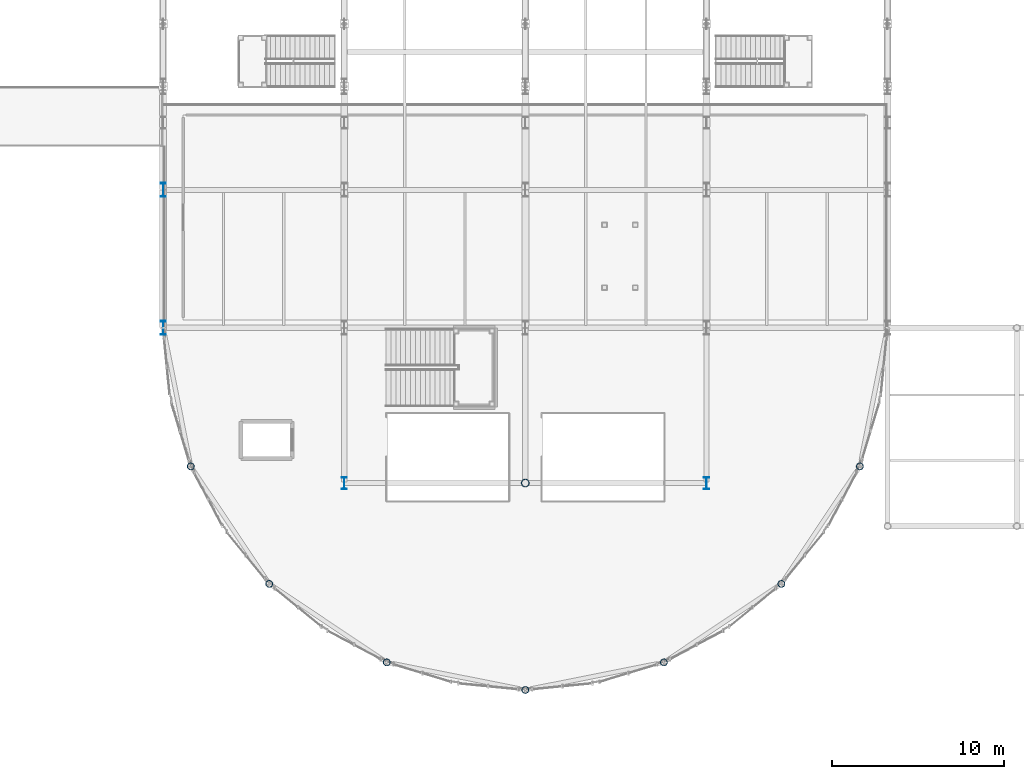
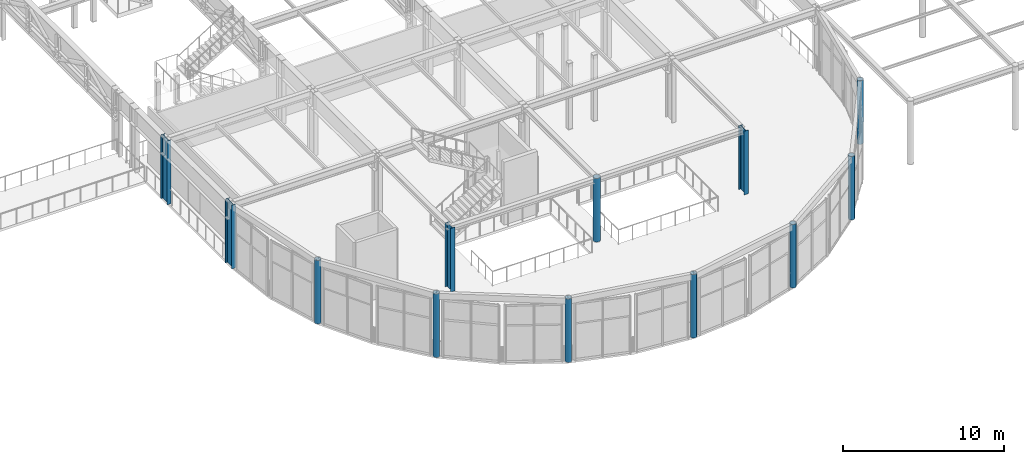
# One storey, part 3 of 143: 12 columns.
"""IFC4 building model written with IfcOpenShell, lengths in metres."""

from ifc_helpers import new_model, si_unit, direction, frame, origin, origin_2d, place, context, subcontext, project, spatial, hollow_circle, i_section, extrude, material, material_profile, profile_set, type_object, element, save


model = new_model("IFC4")

# Units and contexts
model_context = context("Model", 3, precision=1e-05, world=origin(), true_north=direction((0.0, 1.0)))
body_context = subcontext(model_context, "Body", "Model", "MODEL_VIEW")
ifc_project = project(units=[si_unit("LENGTHUNIT", "METRE"), si_unit("AREAUNIT", "SQUARE_METRE"), si_unit("VOLUMEUNIT", "CUBIC_METRE"), si_unit("PLANEANGLEUNIT", "RADIAN"), si_unit("MASSUNIT", "GRAM", prefix="KILO")], contexts=[model_context])

# Site, building, storey
site_placement = place(None, origin())
site = spatial("IfcSite", under=ifc_project, at=site_placement, CompositionType="ELEMENT")
building_placement = place(site_placement, origin())
building = spatial("IfcBuilding", under=site, at=building_placement, Name="Marlcrest Central Station", CompositionType="ELEMENT")
storey_placement = place(building_placement, frame((0.0, 0.0, 4.800048828125)))
storey = spatial("IfcBuildingStorey", under=building, at=storey_placement, Name="L01", CompositionType="ELEMENT", Elevation=4.800048828125)

# Columns
ifc_material = material(Name="Steel S355", Category="steel")
ifc_material_profile_1 = material_profile(ifc_material, i_section(OverallWidth=0.300048828125, OverallDepth=0.699951171875, WebThickness=0.01708984375, FlangeThickness=0.031982421875, FilletRadius=0.027099609375, at=origin_2d()), Name="HEB 700")
ifc_profile_set_1 = profile_set([ifc_material_profile_1], Name="Steel S355")
column_type_1 = type_object("IfcColumnType", Name="SC-07", PredefinedType="COLUMN", material=ifc_profile_set_1)
for number, where, z_axis, x_axis, name in (
    (1, (97.5, 13.5, 0.0), (0.0, 0.0, 1.0), (1.0, 0.0, 0.0), "col-SC-07-L01-0816"),
    (2, (118.5, 13.5, 0.0), (0.0, 0.0, 1.0), (1.0, 0.0, 0.0), "col-SC-07-L01-0824"),
):
    element("IfcColumn", number, at=place(storey_placement, frame(where, z_axis=z_axis, x_axis=x_axis)), inside=storey, type_object=column_type_1, Name=name, PredefinedType="COLUMN", context=body_context, shape_type="SweptSolid", body=[
        extrude(i_section(OverallWidth=0.300048828125, OverallDepth=0.699951171875, WebThickness=0.01708984375, FlangeThickness=0.031982421875, FilletRadius=0.027099609375, at=origin_2d()), origin(), (0.0, 0.0, 1.0), 4.81494140625),
    ])
ifc_material_profile_2 = material_profile(ifc_material, i_section(OverallWidth=0.300048828125, OverallDepth=0.800048828125, WebThickness=0.017578125, FlangeThickness=0.032958984375, FilletRadius=0.030029296875, at=origin_2d()), Name="HEB 800")
ifc_profile_set_2 = profile_set([ifc_material_profile_2], Name="Steel S355")
column_type_2 = type_object("IfcColumnType", Name="SC-08", PredefinedType="COLUMN", material=ifc_profile_set_2)
for number, where, z_axis, x_axis, name in (
    (3, (87.0, 22.5, 0.0), (0.0, 0.0, 1.0), (1.0, 0.0, 0.0), "col-SC-08-L01-0668"),
    (4, (87.0, 30.5, 0.0), (0.0, 0.0, 1.0), (1.0, 0.0, 0.0), "col-SC-08-L01-0686"),
):
    element("IfcColumn", number, at=place(storey_placement, frame(where, z_axis=z_axis, x_axis=x_axis)), inside=storey, type_object=column_type_2, Name=name, PredefinedType="COLUMN", context=body_context, shape_type="SweptSolid", body=[
        extrude(i_section(OverallWidth=0.300048828125, OverallDepth=0.800048828125, WebThickness=0.017578125, FlangeThickness=0.032958984375, FilletRadius=0.030029296875, at=origin_2d()), origin(), (0.0, 0.0, 1.0), 4.81494140625),
    ])
ifc_material_profile_3 = material_profile(ifc_material, hollow_circle(Radius=0.203125, WallThickness=0.02001953125, at=origin_2d()), Name="CHS 406.4x20")
ifc_profile_set_3 = profile_set([ifc_material_profile_3], Name="Steel S355")
column_type_3 = type_object("IfcColumnType", Name="SC-10", PredefinedType="COLUMN", material=ifc_profile_set_3)
for number, where, z_axis, x_axis, name in (
    (5, (88.59912109375, 14.464111328125, 0.0), (0.0, 0.0, 1.0), (1.0, 0.0, 0.0), "col-SC-10-L01-0788"),
    (6, (93.15087890625, 7.65087890625, 0.0), (0.0, 0.0, 1.0), (1.0, 0.0, 0.0), "col-SC-10-L01-0792"),
    (7, (99.964111328125, 3.09912109375, 0.0), (0.0, 0.0, 1.0), (1.0, 0.0, 0.0), "col-SC-10-L01-0796"),
    (8, (108.0, 1.5, 0.0), (0.0, 0.0, 1.0), (1.0, 0.0, 0.0), "col-SC-10-L01-0800"),
    (9, (116.035888671875, 3.09912109375, 0.0), (0.0, 0.0, 1.0), (1.0, 0.0, 0.0), "col-SC-10-L01-0804"),
    (10, (122.84912109375, 7.65087890625, 0.0), (0.0, 0.0, 1.0), (1.0, 0.0, 0.0), "col-SC-10-L01-0808"),
    (11, (127.40087890625, 14.464111328125, 0.0), (0.0, 0.0, 1.0), (1.0, 0.0, 0.0), "col-SC-10-L01-0812"),
):
    element("IfcColumn", number, at=place(storey_placement, frame(where, z_axis=z_axis, x_axis=x_axis)), inside=storey, type_object=column_type_3, Name=name, PredefinedType="COLUMN", context=body_context, shape_type="SweptSolid", body=[
        extrude(hollow_circle(Radius=0.203125, WallThickness=0.02001953125, at=origin_2d()), origin(), (0.0, 0.0, 1.0), 4.81005859375),
    ])
ifc_material_profile_4 = material_profile(ifc_material, hollow_circle(Radius=0.228515625, WallThickness=0.02001953125, at=origin_2d()), Name="CHS 457x20")
ifc_profile_set_4 = profile_set([ifc_material_profile_4], Name="Steel S355")
column_type_4 = type_object("IfcColumnType", Name="SC-11", PredefinedType="COLUMN", material=ifc_profile_set_4)
column_placement = place(storey_placement, frame((108.0, 13.5, 0.0), z_axis=(0.0, 0.0, 1.0), x_axis=(1.0, 0.0, 0.0)))
element("IfcColumn", 12, at=column_placement, inside=storey, type_object=column_type_4, Name="col-SC-11-L01-0820", PredefinedType="COLUMN", context=body_context, shape_type="SweptSolid", body=[
    extrude(hollow_circle(Radius=0.228515625, WallThickness=0.02001953125, at=origin_2d()), origin(), (0.0, 0.0, 1.0), 4.81494140625),
])

save(model, "model.ifc")
